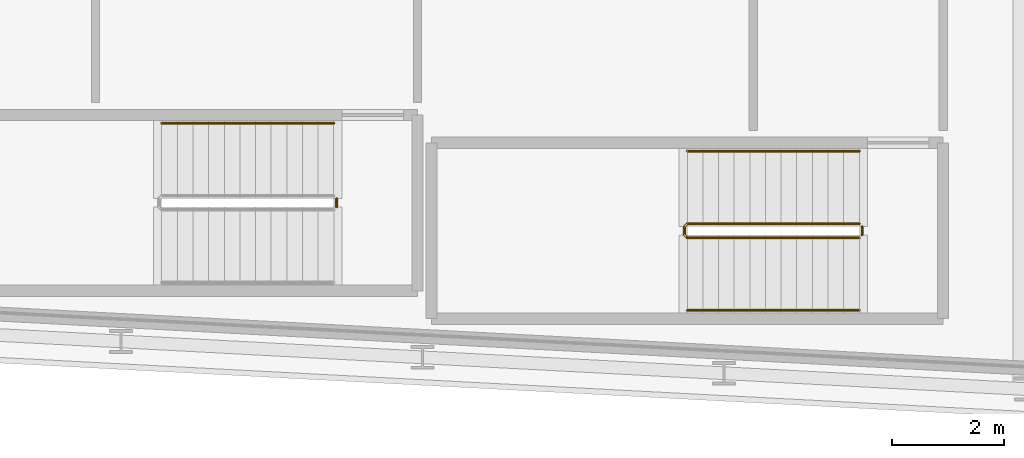
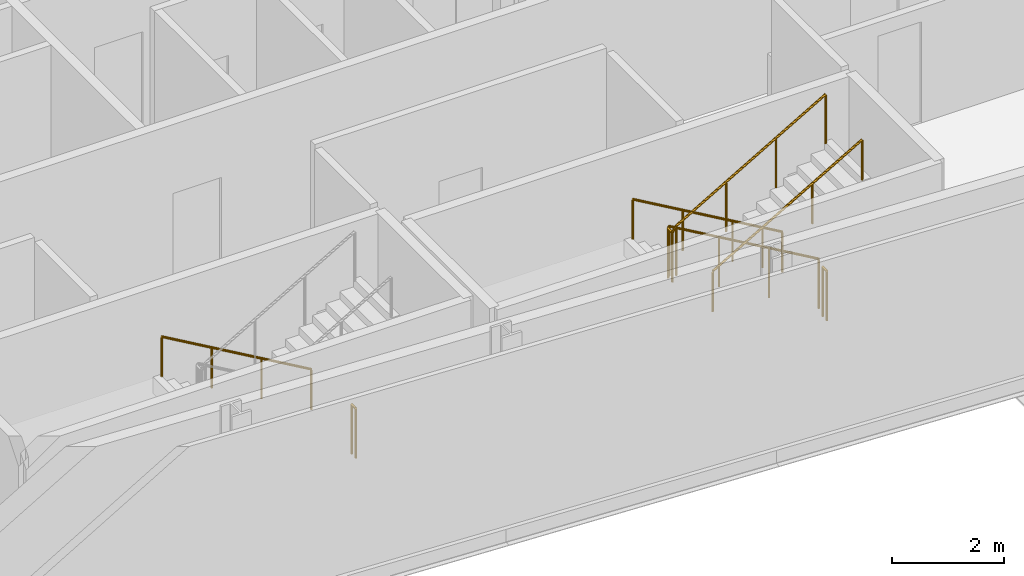
# One storey, part 26 of 29: 6 railings.
"""IFC4 building model written with IfcOpenShell, lengths in metres."""

from ifc_helpers import new_model, si_unit, direction, frame, origin, origin_2d, place, context, subcontext, project, spatial, circle, extrude, material, type_object, element, save


model = new_model("IFC4")

# Units and contexts
model_context = context("Model", 3, precision=1e-05, world=origin(), true_north=direction((0.0, 1.0)))
body_context = subcontext(model_context, "Body", "Model", "MODEL_VIEW")
ifc_project = project(units=[si_unit("LENGTHUNIT", "METRE"), si_unit("AREAUNIT", "SQUARE_METRE"), si_unit("VOLUMEUNIT", "CUBIC_METRE"), si_unit("PLANEANGLEUNIT", "RADIAN"), si_unit("MASSUNIT", "GRAM", prefix="KILO")], contexts=[model_context])

# Site, building, storey
site_placement = place(None, origin())
site = spatial("IfcSite", under=ifc_project, at=site_placement, CompositionType="ELEMENT")
building_placement = place(site_placement, origin())
building = spatial("IfcBuilding", under=site, at=building_placement, Name="Kheshtan School and Residences Tower", CompositionType="ELEMENT")
storey_placement = place(building_placement, frame((0.0, 0.0, 176.0)))
storey = spatial("IfcBuildingStorey", under=building, at=storey_placement, Name="L41", CompositionType="ELEMENT", Elevation=176.0)

# Railings
ifc_material_1 = material(Name="Stainless steel balustrade", Category="steel")
railing_type_1 = type_object("IfcRailingType", Name="Stair guard 1100", PredefinedType="GUARDRAIL", material=ifc_material_1)
railing_1_placement = place(storey_placement, frame((87.820068359375, 23.949951171875, 0.16259765625)))
element("IfcRailing", 1, at=railing_1_placement, inside=storey, type_object=railing_type_1, Name="L41 ST4 stair guard 1", PredefinedType="GUARDRAIL", context=body_context, shape_type="SweptSolid", body=[
    extrude(circle(Radius=0.02392578125, at=origin_2d()), frame((0.0, 0.0, 1.076171875), z_axis=(-0.864920483161, 0.0, 0.501908913857), x_axis=(0.0, -1.0, 0.0)), (0.0, 0.0, 1.0), 3.56103515625),
    extrude(circle(Radius=0.02392578125, at=origin_2d()), frame((-3.080078125, 0.0, 2.86328125), z_axis=(-0.707106781187, -0.707106781187, 0.0), x_axis=(0.707106781187, -0.707106781187, 0.0)), (0.0, 0.0, 1.0), 0.07080078125),
    extrude(circle(Radius=0.02392578125, at=origin_2d()), frame((-3.130126953125, -0.050048828125, 2.86328125), z_axis=(0.0, -1.0, 0.0), x_axis=(1.0, 0.0, 0.0)), (0.0, 0.0, 1.0), 0.14990234375),
    extrude(circle(Radius=0.02392578125, at=origin_2d()), frame((-3.130126953125, -0.199951171875, 2.86328125), z_axis=(0.282227285176, -0.282227285176, 0.916894497205), x_axis=(0.707106781187, 0.707106781187, 0.0)), (0.0, 0.0, 1.0), 0.17724609375),
    extrude(circle(Radius=0.02392578125, at=origin_2d()), frame((-3.080078125, -0.25, 3.02587890625), z_axis=(0.864920483161, 0.0, 0.501908913857), x_axis=(0.0, 1.0, 0.0)), (0.0, 0.0, 1.0), 3.56103515625),
    extrude(circle(Radius=0.02099609375, at=origin_2d()), origin(), (0.0, 0.0, 1.0), 1.052001953125),
    extrude(circle(Radius=0.02099609375, at=origin_2d()), frame((-1.026611328125, 0.0, 0.595703125)), (0.0, 0.0, 1.0), 1.052001953125),
    extrude(circle(Radius=0.02099609375, at=origin_2d()), frame((-2.053466796875, 0.0, 1.191650390625)), (0.0, 0.0, 1.0), 1.052001953125),
    extrude(circle(Radius=0.02099609375, at=origin_2d()), frame((-3.080078125, 0.0, 1.787353515625)), (0.0, 0.0, 1.0), 1.052001953125),
    extrude(circle(Radius=0.02099609375, at=origin_2d()), frame((-3.130126953125, -0.050048828125, 1.787353515625)), (0.0, 0.0, 1.0), 1.052001953125),
    extrude(circle(Radius=0.02099609375, at=origin_2d()), frame((-3.130126953125, -0.199951171875, 1.787353515625)), (0.0, 0.0, 1.0), 1.052001953125),
    extrude(circle(Radius=0.02099609375, at=origin_2d()), frame((-3.080078125, -0.25, 1.949951171875)), (0.0, 0.0, 1.0), 1.052001953125),
    extrude(circle(Radius=0.02099609375, at=origin_2d()), frame((-2.053466796875, -0.25, 2.545654296875)), (0.0, 0.0, 1.0), 1.052001953125),
    extrude(circle(Radius=0.02099609375, at=origin_2d()), frame((-1.026611328125, -0.25, 3.1416015625)), (0.0, 0.0, 1.0), 1.052001953125),
    extrude(circle(Radius=0.02099609375, at=origin_2d()), frame((0.0, -0.25, 3.7373046875)), (0.0, 0.0, 1.0), 1.052001953125),
])
for number, where, name in (
    (2, (87.8701171875, 23.89990234375, 0.0), "L41 ST4 stair guard 2"),
    (3, (78.4599609375, 24.39990234375, 0.0), "L41 ST5 stair guard 2"),
):
    element("IfcRailing", number, at=place(storey_placement, frame(where)), inside=storey, type_object=railing_type_1, Name=name, PredefinedType="GUARDRAIL", context=body_context, shape_type="SweptSolid", body=[
        extrude(circle(Radius=0.02392578125, at=origin_2d()), frame((0.0, 0.0, 1.076171875), z_axis=(0.0, -1.0, 0.0), x_axis=(1.0, 0.0, 0.0)), (0.0, 0.0, 1.0), 0.14990234375),
        extrude(circle(Radius=0.02099609375, at=origin_2d()), origin(), (0.0, 0.0, 1.0), 1.052001953125),
        extrude(circle(Radius=0.02099609375, at=origin_2d()), frame((0.0, -0.14990234375, 0.0)), (0.0, 0.0, 1.0), 1.052001953125),
    ])
ifc_material_2 = material(Name="Stainless steel handrail", Category="steel")
railing_type_2 = type_object("IfcRailingType", Name="Stair handrail 900", PredefinedType="HANDRAIL", material=ifc_material_2)
railing_2_placement = place(storey_placement, frame((87.820068359375, 25.25, 0.16259765625)))
element("IfcRailing", 4, at=railing_2_placement, inside=storey, type_object=railing_type_2, Name="L41 ST4 stair handrail 1", PredefinedType="HANDRAIL", context=body_context, shape_type="SweptSolid", body=[
    extrude(circle(Radius=0.02392578125, at=origin_2d()), frame((0.0, 0.0, 0.8759765625), z_axis=(-0.864920483161, 0.0, 0.501908913857), x_axis=(0.0, -1.0, 0.0)), (0.0, 0.0, 1.0), 3.56103515625),
    extrude(circle(Radius=0.02099609375, at=origin_2d()), origin(), (0.0, 0.0, 1.0), 0.851806640625),
    extrude(circle(Radius=0.02099609375, at=origin_2d()), frame((-1.026611328125, 0.0, 0.595703125)), (0.0, 0.0, 1.0), 0.851806640625),
    extrude(circle(Radius=0.02099609375, at=origin_2d()), frame((-2.053466796875, 0.0, 1.191650390625)), (0.0, 0.0, 1.0), 0.851806640625),
    extrude(circle(Radius=0.02099609375, at=origin_2d()), frame((-3.080078125, 0.0, 1.787353515625)), (0.0, 0.0, 1.0), 0.851806640625),
])
railing_3_placement = place(storey_placement, frame((84.739990234375, 22.39990234375, 2.112548828125)))
element("IfcRailing", 5, at=railing_3_placement, inside=storey, type_object=railing_type_2, Name="L41 ST4 stair handrail 2", PredefinedType="HANDRAIL", context=body_context, shape_type="SweptSolid", body=[
    extrude(circle(Radius=0.02392578125, at=origin_2d()), frame((0.0, 0.0, 0.8759765625), z_axis=(0.864920483161, 0.0, 0.501908913857), x_axis=(0.0, 1.0, 0.0)), (0.0, 0.0, 1.0), 3.56103515625),
    extrude(circle(Radius=0.02099609375, at=origin_2d()), origin(), (0.0, 0.0, 1.0), 0.851806640625),
    extrude(circle(Radius=0.02099609375, at=origin_2d()), frame((1.026611328125, 0.0, 0.595703125)), (0.0, 0.0, 1.0), 0.851806640625),
    extrude(circle(Radius=0.02099609375, at=origin_2d()), frame((2.053466796875, 0.0, 1.191650390625)), (0.0, 0.0, 1.0), 0.851806640625),
    extrude(circle(Radius=0.02099609375, at=origin_2d()), frame((3.080078125, 0.0, 1.787353515625)), (0.0, 0.0, 1.0), 0.851806640625),
])
railing_4_placement = place(storey_placement, frame((78.409912109375, 25.75, 0.16259765625)))
element("IfcRailing", 6, at=railing_4_placement, inside=storey, type_object=railing_type_2, Name="L41 ST5 stair handrail 1", PredefinedType="HANDRAIL", context=body_context, shape_type="SweptSolid", body=[
    extrude(circle(Radius=0.02392578125, at=origin_2d()), frame((0.0, 0.0, 0.8759765625), z_axis=(-0.864903211148, 0.0, 0.501938676878), x_axis=(0.0, -1.0, 0.0)), (0.0, 0.0, 1.0), 3.560791015625),
    extrude(circle(Radius=0.02099609375, at=origin_2d()), origin(), (0.0, 0.0, 1.0), 0.851806640625),
    extrude(circle(Radius=0.02099609375, at=origin_2d()), frame((-1.026611328125, 0.0, 0.595703125)), (0.0, 0.0, 1.0), 0.851806640625),
    extrude(circle(Radius=0.02099609375, at=origin_2d()), frame((-2.05322265625, 0.0, 1.191650390625)), (0.0, 0.0, 1.0), 0.851806640625),
    extrude(circle(Radius=0.02099609375, at=origin_2d()), frame((-3.079833984375, 0.0, 1.787353515625)), (0.0, 0.0, 1.0), 0.851806640625),
])

save(model, "model.ifc")
